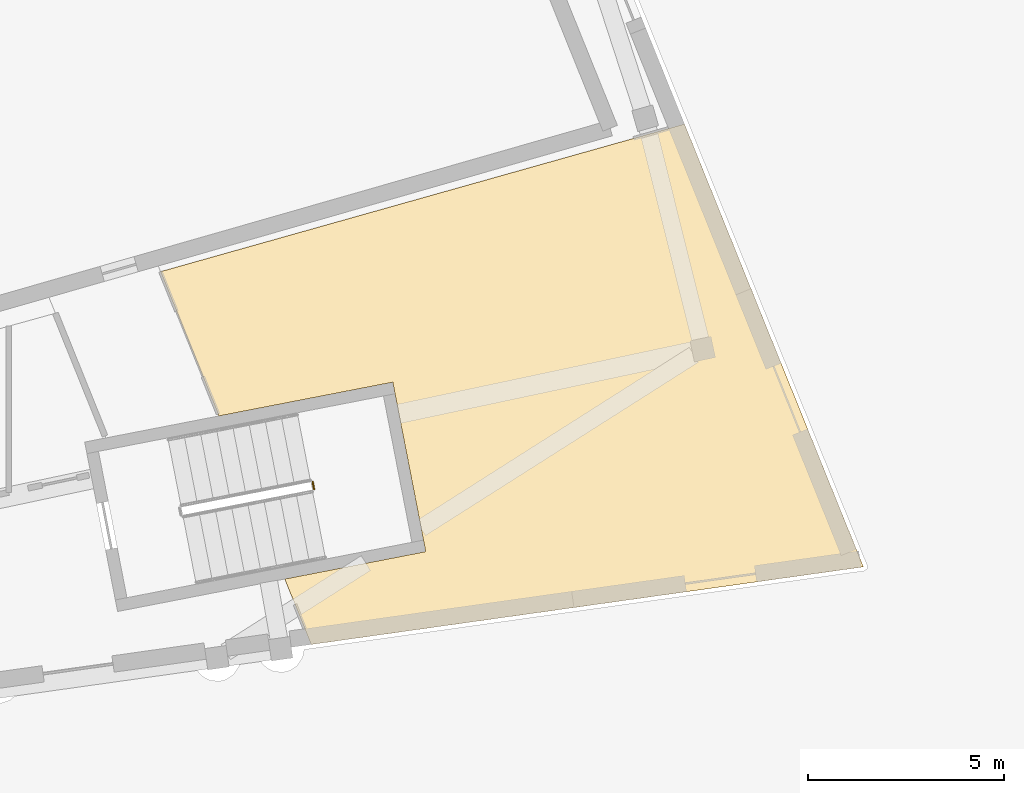
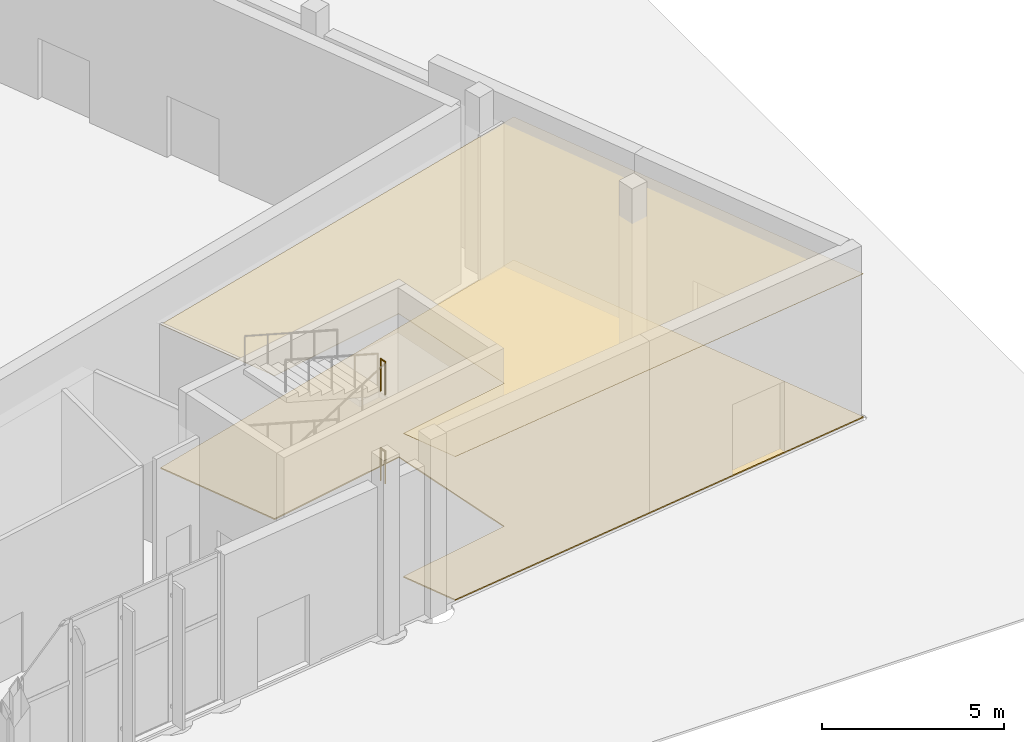
# One storey, part 143 of 155: 2 coverings, 2 railings.
"""IFC4 building model written with IfcOpenShell, lengths in metres."""

import ifcopenshell
import ifcopenshell.guid

model = None  # the IFC model being written
_history = None  # IfcOwnerHistory: only IFC2X3 demands one
_inside = {}  # id of a spatial element -> (the spatial element, [elements in it])
_under = {}  # id of a project, library or spatial element -> (it, [spatial elements below it])
_declared = {}  # id of a project -> (the project, [libraries it declares])
_typed = {}  # id of a type object -> (the type object, [elements of that type])
_made_of = {}  # id of a material, layer set ... -> (it, [elements and type objects made of it])


def new_model(schema):
    """Start an empty IFC model of exactly this schema.

    Asked for "IFC4X3", IfcOpenShell would pick the latest addendum, in which some entities
    have other attributes; the version numbers below select the first issue.
    IFC2X3 requires an IfcOwnerHistory on every rooted entity: one is made here for all.
    """
    global model, _history
    if schema == "IFC4X3":
        model = ifcopenshell.file(schema_version=(4, 3, 0, 0))
    else:
        model = ifcopenshell.file(schema=schema)
    _inside.clear()
    _under.clear()
    _declared.clear()
    _typed.clear()
    _made_of.clear()
    _history = None
    if model.schema == "IFC2X3":
        org = make("IfcOrganization", Name="unknown")
        user = make(
            "IfcPersonAndOrganization",
            ThePerson=make("IfcPerson", FamilyName="unknown"),
            TheOrganization=org,
        )
        app = make(
            "IfcApplication",
            ApplicationDeveloper=org,
            Version="unknown",
            ApplicationFullName="unknown",
            ApplicationIdentifier="unknown",
        )
        _history = make(
            "IfcOwnerHistory",
            OwningUser=user,
            OwningApplication=app,
            ChangeAction="ADDED",
            CreationDate=0,
        )
    return model


def make(cls, **values):
    """One entity of the class cls with the attributes given. An attribute that is None is left unset."""
    return model.create_entity(
        cls, **{name: value for name, value in values.items() if value is not None}
    )


def rooted(cls, **values):
    """An entity with a GlobalId (a new one), such as an element, a storey or a relation."""
    return make(cls, GlobalId=ifcopenshell.guid.new(), OwnerHistory=_history, **values)


def si_unit(unit_type, name, prefix=None):
    """IfcSIUnit, for example si_unit("LENGTHUNIT", "METRE", prefix="MILLI")."""
    return make("IfcSIUnit", UnitType=unit_type, Prefix=prefix, Name=name)


def assignment(units):
    """IfcUnitAssignment: the units of a project."""
    return None if units is None else make("IfcUnitAssignment", Units=units)


def point(xyz):
    """IfcCartesianPoint."""
    return None if xyz is None else make("IfcCartesianPoint", Coordinates=xyz)


def direction(xyz):
    """IfcDirection."""
    return None if xyz is None else make("IfcDirection", DirectionRatios=xyz)


def frame(location, z_axis=None, x_axis=None):
    """IfcAxis2Placement3D, a coordinate frame: its origin and axes. An axis left out is left unset."""
    return make(
        "IfcAxis2Placement3D",
        Location=point(location),
        Axis=direction(z_axis),
        RefDirection=direction(x_axis),
    )


def frame_2d(location, x_axis=None):
    """IfcAxis2Placement2D, a coordinate frame in the plane: its origin and x axis."""
    return make(
        "IfcAxis2Placement2D", Location=point(location), RefDirection=direction(x_axis)
    )


def origin():
    """The frame at (0, 0, 0) with its axes left unset."""
    return frame((0.0, 0.0, 0.0))


def origin_2d():
    """The frame at (0, 0) in the plane with its x axis left unset."""
    return frame_2d((0.0, 0.0))


def place(relative_to, where):
    """IfcLocalPlacement: puts the frame where relative to a parent placement (None: the world)."""
    return make(
        "IfcLocalPlacement", PlacementRelTo=relative_to, RelativePlacement=where
    )


def context(
    kind, dimensions, precision=None, world=None, true_north=None, identifier=None
):
    """IfcGeometricRepresentationContext, for example the 3D "Model" context."""
    return make(
        "IfcGeometricRepresentationContext",
        ContextIdentifier=identifier,
        ContextType=kind,
        CoordinateSpaceDimension=dimensions,
        Precision=precision,
        WorldCoordinateSystem=world,
        TrueNorth=true_north,
    )


def subcontext(parent, identifier, kind, view, scale=None):
    """IfcGeometricRepresentationSubContext, for example "Body" below "Model"."""
    return make(
        "IfcGeometricRepresentationSubContext",
        ContextIdentifier=identifier,
        ContextType=kind,
        ParentContext=parent,
        TargetScale=scale,
        TargetView=view,
    )


def project(units=None, contexts=None):
    """IfcProject with its units and contexts."""
    return rooted(
        "IfcProject",
        Name="project",
        RepresentationContexts=contexts,
        UnitsInContext=assignment(units),
    )


def spatial(cls, under=None, at=None, **own):
    """A site, building, storey or space (cls), placed at a placement, below another one or the project."""
    s = rooted(cls, ObjectPlacement=at, **own)
    if under is not None:
        _under.setdefault(under.id(), (under, []))[1].append(s)
    return s


def polyline(points):
    """IfcPolyline through the points."""
    return make("IfcPolyline", Points=[point(p) for p in points])


def profile(cls, at=None, kind="AREA", **sizes):
    """A parametric profile (cls). Its sizes go by their IFC names, for example OverallWidth=200.0."""
    return make(cls, ProfileType=kind, Position=at, **sizes)


def circle(**sizes):
    """IfcCircleProfileDef."""
    return profile("IfcCircleProfileDef", **sizes)


def outline(outer, holes=None, kind="AREA"):
    """IfcArbitraryClosedProfileDef: a profile drawn as a closed curve; with holes, ...WithVoids."""
    if holes is None:
        return make("IfcArbitraryClosedProfileDef", ProfileType=kind, OuterCurve=outer)
    return make(
        "IfcArbitraryProfileDefWithVoids",
        ProfileType=kind,
        OuterCurve=outer,
        InnerCurves=holes,
    )


def extrude(swept, where, along, depth):
    """IfcExtrudedAreaSolid: the profile swept, set in the frame where, extruded along a direction by depth."""
    return make(
        "IfcExtrudedAreaSolid",
        SweptArea=swept,
        Position=where,
        ExtrudedDirection=direction(along),
        Depth=depth,
    )


def shape(context_of_items, identifier, shape_type, items):
    """IfcShapeRepresentation: the items that make up one representation, for example the "Body"."""
    return make(
        "IfcShapeRepresentation",
        ContextOfItems=context_of_items,
        RepresentationIdentifier=identifier,
        RepresentationType=shape_type,
        Items=items,
    )


def material(Name=None, Category=None):
    """IfcMaterial."""
    return make("IfcMaterial", Name=Name, Category=Category)


def layer(
    of_material, thickness, ventilated=None, Name=None, Category=None, Priority=None
):
    """IfcMaterialLayer: one layer of a wall or slab, of a material (None: an air gap)."""
    return make(
        "IfcMaterialLayer",
        Material=of_material,
        LayerThickness=thickness,
        IsVentilated=ventilated,
        Name=Name,
        Category=Category,
        Priority=Priority,
    )


def layer_set(layers, Name=None):
    """IfcMaterialLayerSet."""
    return make("IfcMaterialLayerSet", MaterialLayers=layers, LayerSetName=Name)


def made_of(thing, what):
    """Note that an element or type object is made of a material, layer set ...; save() writes the relation."""
    if what is not None:
        _made_of.setdefault(what.id(), (what, []))[1].append(thing)
    return thing


def type_object(cls, material=None, **own):
    """A type object (cls), such as IfcWallType, which elements share."""
    return made_of(rooted(cls, **own), material)


def element(
    cls,
    number,
    at=None,
    inside=None,
    cuts=None,
    type_object=None,
    material=None,
    context=None,
    identifier="Body",
    shape_type=None,
    held_by="IfcProductDefinitionShape",
    body=None,
    shapes=None,
    **own,
):
    """One element of the class cls, such as IfcWall. Its Tag is "e" and its number.

    at: its placement. inside: the storey or other place that contains it. cuts: it is an
    opening in that element (IfcRelVoidsElement). A single representation is given by context,
    identifier, shape_type and body (its items); several are given by shapes. held_by: the class
    of the entity that holds the representations. save() writes the other relations.
    """
    e = rooted(cls, Tag="e%d" % number, ObjectPlacement=at, **own)
    if body is not None:
        shapes = [shape(context, identifier, shape_type, body)]
    if shapes is not None:
        e.Representation = make(held_by, Representations=shapes)
    if inside is not None:
        _inside.setdefault(inside.id(), (inside, []))[1].append(e)
    if cuts is not None:
        rooted(
            "IfcRelVoidsElement", RelatingBuildingElement=cuts, RelatedOpeningElement=e
        )
    if type_object is not None:
        _typed.setdefault(type_object.id(), (type_object, []))[1].append(e)
    return made_of(e, material)


def aggregate(whole, parts):
    """IfcRelAggregates: a whole, such as a stair, and the parts it consists of."""
    return rooted("IfcRelAggregates", RelatingObject=whole, RelatedObjects=parts)


def save(model, path):
    """Write the relations noted so far, then the file.

    IfcRelAggregates (storeys below a building ...), IfcRelContainedInSpatialStructure (elements
    in a storey), IfcRelDefinesByType, IfcRelAssociatesMaterial and IfcRelDeclares: one each for
    every whole, place, type object, material and project.
    """
    for whole, parts in _under.values():
        aggregate(whole, parts)
    for where, things in _inside.values():
        rooted(
            "IfcRelContainedInSpatialStructure",
            RelatedElements=things,
            RelatingStructure=where,
        )
    for kind, things in _typed.values():
        rooted("IfcRelDefinesByType", RelatedObjects=things, RelatingType=kind)
    for what, things in _made_of.values():
        rooted("IfcRelAssociatesMaterial", RelatedObjects=things, RelatingMaterial=what)
    for by, libraries in _declared.values():
        rooted("IfcRelDeclares", RelatingContext=by, RelatedDefinitions=libraries)
    model.write(path)


model = new_model("IFC4")

# Units and contexts
model_context = context("Model", 3, precision=1e-05, world=origin(), true_north=direction((0.0, 1.0)))
body_context = subcontext(model_context, "Body", "Model", "MODEL_VIEW")
ifc_project = project(units=[si_unit("LENGTHUNIT", "METRE"), si_unit("AREAUNIT", "SQUARE_METRE"), si_unit("VOLUMEUNIT", "CUBIC_METRE"), si_unit("PLANEANGLEUNIT", "RADIAN"), si_unit("MASSUNIT", "GRAM", prefix="KILO")], contexts=[model_context])

# Site, building, storey
site_placement = place(None, origin())
site = spatial("IfcSite", under=ifc_project, at=site_placement, CompositionType="ELEMENT")
building_placement = place(site_placement, origin())
building = spatial("IfcBuilding", under=site, at=building_placement, Name="Lunette Opera House", CompositionType="ELEMENT")
storey_placement = place(building_placement, origin())
storey = spatial("IfcBuildingStorey", under=building, at=storey_placement, Name="L00", CompositionType="ELEMENT", Elevation=0.0)

# Railings
ifc_material_1 = material(Name="Steel S355", Category="steel")
railing_type = type_object("IfcRailingType", Name="STAIR GUARD 1100", PredefinedType="GUARDRAIL", material=ifc_material_1)
for number, where, name in (
    (1, (171.123291015625, 14.50048828125, 1.5), "L00 ST22 stair guard 2"),
    (2, (171.123291015625, 14.50048828125, 4.5), "L00 ST22 stair guard 6"),
):
    element("IfcRailing", number, at=place(storey_placement, frame(where)), inside=storey, type_object=railing_type, Name=name, PredefinedType="GUARDRAIL", context=body_context, shape_type="SweptSolid", body=[
        extrude(circle(Radius=0.02392578125, at=origin_2d()), frame((0.0, 0.0, 1.076171875), z_axis=(-0.190706053889, 0.981647187644, 0.0), x_axis=(-0.981647187644, -0.190706053889, 0.0)), (0.0, 0.0, 1.0), 0.19970703125),
        extrude(circle(Radius=0.02099609375, at=origin_2d()), origin(), (0.0, 0.0, 1.0), 1.052001953125),
        extrude(circle(Radius=0.02099609375, at=origin_2d()), frame((-0.0380859375, 0.196044921875, 0.0)), (0.0, 0.0, 1.0), 1.052001953125),
    ])

# Coverings
ifc_material_2 = material(Name="Mineral fibre board")
ifc_layer_1 = layer(ifc_material_2, 0.014892578125)
ifc_layer_set_1 = layer_set([ifc_layer_1], Name="Mineral fibre board")
covering_type_1 = type_object("IfcCoveringType", Name="SUSPENDED ACOUSTIC CEILING 15", PredefinedType="CEILING", material=ifc_layer_set_1)
covering_1_placement = place(storey_placement, frame((0.0, 0.0, 4.81494140625)))
element("IfcCovering", 3, at=covering_1_placement, inside=storey, type_object=covering_type_1, Name="Ceiling Studio Rehearsal Room", PredefinedType="CEILING", context=body_context, shape_type="SweptSolid", body=[
    extrude(outline(polyline([(173.968017578125, 12.9140625), (173.12890625, 17.23291015625), (168.697021484375, 16.3720703125), (167.2099609375, 20.051025390625), (180.56494140625, 23.81201171875), (184.634033203125, 13.739990234375), (184.635009765625, 13.739990234375), (185.125, 12.52490234375), (171.050048828125, 10.547119140625), (171.050048828125, 10.548095703125), (170.636962890625, 11.570068359375), (170.636962890625, 11.571044921875), (170.3759765625, 12.216064453125), (173.968017578125, 12.9140625)])), origin(), (0.0, 0.0, 1.0), 0.01513671875),
])
ifc_material_3 = material(Name="Timber", Category="wood")
ifc_layer_2 = layer(ifc_material_3, 0.0400390625)
ifc_layer_set_2 = layer_set([ifc_layer_2], Name="Timber")
covering_type_2 = type_object("IfcCoveringType", Name="TIMBER FLOOR FINISH 40", PredefinedType="FLOORING", material=ifc_layer_set_2)
covering_2_placement = place(storey_placement, origin())
element("IfcCovering", 4, at=covering_2_placement, inside=storey, type_object=covering_type_2, Name="Floor finish Studio Rehearsal Room", PredefinedType="FLOORING", context=body_context, shape_type="SweptSolid", body=[
    extrude(outline(polyline([(173.968017578125, 12.9140625), (173.12890625, 17.23291015625), (168.697021484375, 16.3720703125), (167.2099609375, 20.051025390625), (180.56494140625, 23.81201171875), (184.634033203125, 13.739990234375), (184.635009765625, 13.739990234375), (185.125, 12.52490234375), (171.050048828125, 10.547119140625), (171.050048828125, 10.548095703125), (170.636962890625, 11.570068359375), (170.636962890625, 11.571044921875), (170.3759765625, 12.216064453125), (173.968017578125, 12.9140625)])), origin(), (0.0, 0.0, 1.0), 0.0400390625),
])

save(model, "model.ifc")
